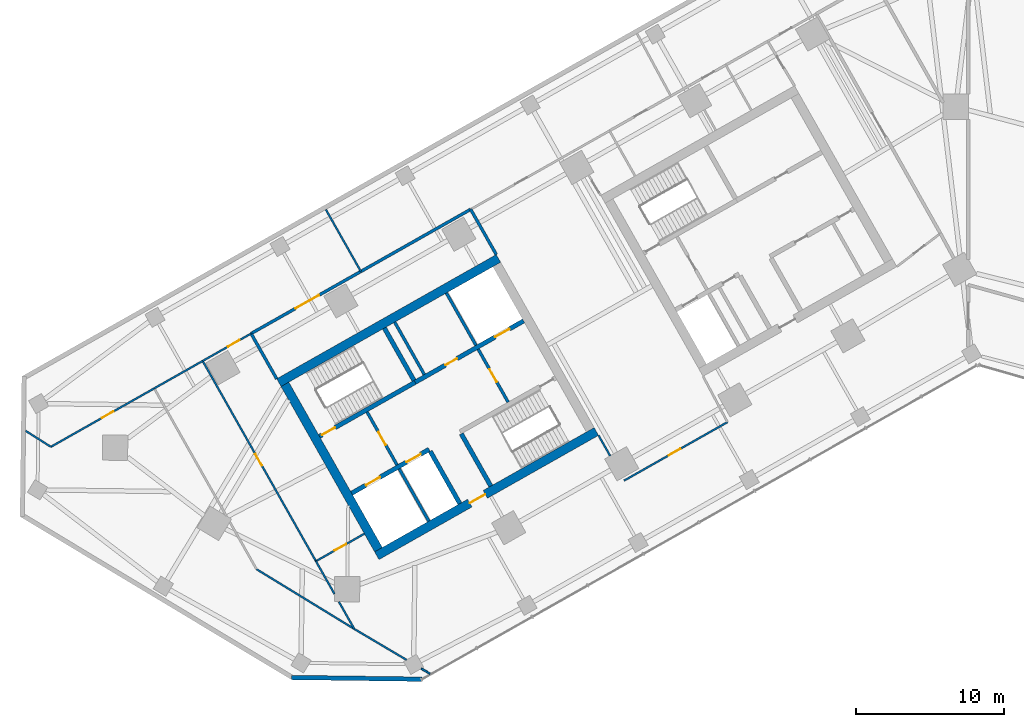
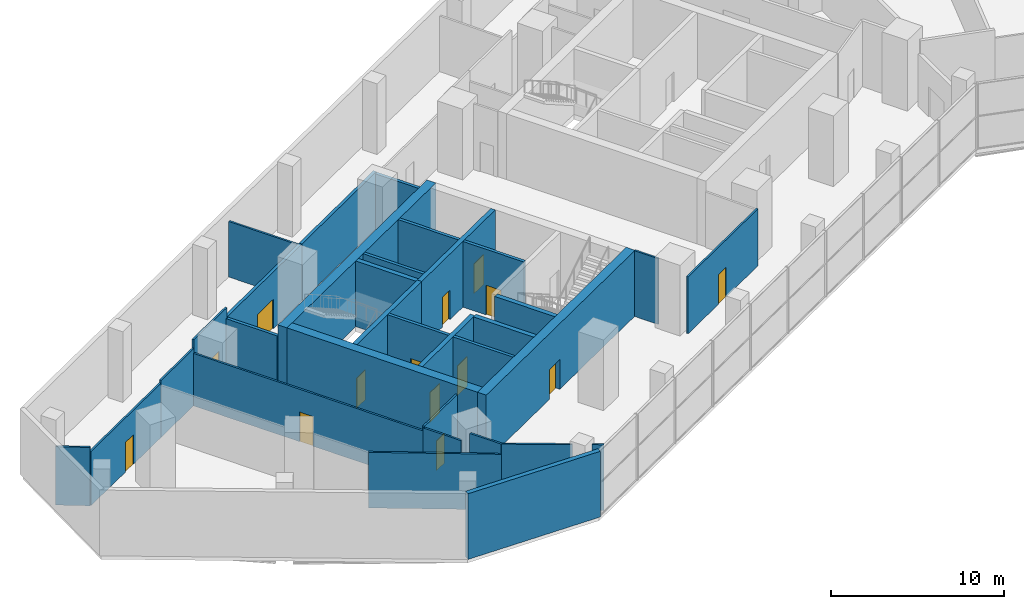
# One storey, part 8 of 15: 33 walls, 14 doors, 14 openings.
"""IFC4 building model written with IfcOpenShell, lengths in metres."""

from ifc_helpers import new_model, si_unit, direction, frame, frame_2d, origin, place, context, subcontext, project, spatial, rectangle, extrude, material, layer, layer_set, type_object, element, fill, save


model = new_model("IFC4")

# Units and contexts
model_context = context("Model", 3, precision=1e-05, world=origin(), true_north=direction((0.0, 1.0)))
body_context = subcontext(model_context, "Body", "Model", "MODEL_VIEW")
ifc_project = project(units=[si_unit("LENGTHUNIT", "METRE"), si_unit("AREAUNIT", "SQUARE_METRE"), si_unit("VOLUMEUNIT", "CUBIC_METRE"), si_unit("PLANEANGLEUNIT", "RADIAN"), si_unit("MASSUNIT", "GRAM", prefix="KILO")], contexts=[model_context])

# Site, building, storey
site_placement = place(None, origin())
site = spatial("IfcSite", under=ifc_project, at=site_placement, CompositionType="ELEMENT")
building_placement = place(site_placement, origin())
building = spatial("IfcBuilding", under=site, at=building_placement, Name="Binnacle Exchange Tower", CompositionType="ELEMENT")
storey_placement = place(building_placement, frame((0.0, 0.0, 16.5)))
storey = spatial("IfcBuildingStorey", under=building, at=storey_placement, Name="L03", CompositionType="ELEMENT", Elevation=16.5)

# Wall, openings, doors
ifc_material_1 = material(Name="Concrete C70/85", Category="concrete")
ifc_layer_1 = layer(ifc_material_1, 0.300048828125)
ifc_layer_set_1 = layer_set([ifc_layer_1], Name="Core wall - front 300")
wall_type_1 = type_object("IfcWallType", Name="Core wall - front 300", PredefinedType="SOLIDWALL", material=ifc_layer_set_1)
wall_1_placement = place(storey_placement, frame((-41.555908203125, 33.9609375, 0.0), z_axis=(0.0, 0.0, 1.0), x_axis=(0.870343731308, 0.492444706919, 0.0)))
wall_1 = element("IfcWall", 1, at=wall_1_placement, inside=storey, type_object=wall_type_1, Name="Core wall CRWA2", PredefinedType="SOLIDWALL", context=body_context, shape_type="SweptSolid", body=[
    extrude(rectangle(XDim=5.999755859375, YDim=0.300048828125, at=frame_2d((3.0, 0.0))), origin(), (0.0, 0.0, 1.0), 4.64990234375),
])
opening_1_placement = place(wall_1_placement, frame((1.099853515625, 0.0, 0.0)))
opening_1 = element("IfcOpeningElement", 2, at=opening_1_placement, cuts=wall_1, Name="Opening LD12", PredefinedType="OPENING", context=body_context, shape_type="SweptSolid", body=[
    extrude(rectangle(XDim=1.10009765625, YDim=2.10009765625, at=frame_2d((0.550048828125, 1.050048828125))), frame((0.0, 0.159912109375, 0.0), z_axis=(0.0, -1.0, 0.0), x_axis=(1.0, 0.0, 0.0)), (0.0, 0.0, 1.0), 0.320068359375),
])
opening_2_placement = place(wall_1_placement, frame((4.25, 0.0, 0.0)))
opening_2 = element("IfcOpeningElement", 3, at=opening_2_placement, cuts=wall_1, Name="Opening LD8", PredefinedType="OPENING", context=body_context, shape_type="SweptSolid", body=[
    extrude(rectangle(XDim=1.10009765625, YDim=2.10009765625, at=frame_2d((0.550048828125, 1.050048828125))), frame((0.0, 0.159912109375, 0.0), z_axis=(0.0, -1.0, 0.0), x_axis=(1.0, 0.0, 0.0)), (0.0, 0.0, 1.0), 0.320068359375),
])
ifc_material_2 = material(Name="Steel door leaf", Category="steel")
door_type_1 = type_object("IfcDoorType", Name="Fire door - lift landing 1100", OperationType="NOTDEFINED", PredefinedType="DOOR", material=ifc_material_2)
door_1_placement = place(opening_1_placement, origin())
door_1 = element("IfcDoor", 4, at=door_1_placement, inside=storey, type_object=door_type_1, Name="Landing door LD12 L03", OperationType="DOUBLE_DOOR_SLIDING", OverallHeight=2.10009765625, OverallWidth=1.10009765625, PredefinedType="DOOR", context=body_context, shape_type="SweptSolid", body=[
    extrude(rectangle(XDim=1.10009765625, YDim=2.10009765625, at=frame_2d((0.550048828125, 1.050048828125))), frame((0.0, 0.02490234375, 0.0), z_axis=(0.0, -1.0, 0.0), x_axis=(1.0, 0.0, 0.0)), (0.0, 0.0, 1.0), 0.050048828125),
])
fill(opening_1, door_1)
door_2_placement = place(opening_2_placement, origin())
door_2 = element("IfcDoor", 5, at=door_2_placement, inside=storey, type_object=door_type_1, Name="Landing door LD8 L03", OperationType="DOUBLE_DOOR_SLIDING", OverallHeight=2.10009765625, OverallWidth=1.10009765625, PredefinedType="DOOR", context=body_context, shape_type="SweptSolid", body=[
    extrude(rectangle(XDim=1.10009765625, YDim=2.10009765625, at=frame_2d((0.550048828125, 1.050048828125))), frame((0.0, 0.02490234375, 0.0), z_axis=(0.0, -1.0, 0.0), x_axis=(1.0, 0.0, 0.0)), (0.0, 0.0, 1.0), 0.050048828125),
])
fill(opening_2, door_2)

wall_2_placement = place(storey_placement, frame((-37.281982421875, 41.4345703125, 0.0), z_axis=(0.0, 0.0, 1.0), x_axis=(0.870356516133, 0.492422110414, 0.0)))
wall_2 = element("IfcWall", 6, at=wall_2_placement, inside=storey, type_object=wall_type_1, Name="Core wall CRWA5", PredefinedType="SOLIDWALL", context=body_context, shape_type="SweptSolid", body=[
    extrude(rectangle(XDim=8.399658203125, YDim=0.300048828125, at=frame_2d((4.19970703125, 0.0))), origin(), (0.0, 0.0, 1.0), 4.64990234375),
])
opening_3_placement = place(wall_2_placement, frame((6.199951171875, 0.0, 0.0)))
opening_3 = element("IfcOpeningElement", 7, at=opening_3_placement, cuts=wall_2, Name="Opening LD13", PredefinedType="OPENING", context=body_context, shape_type="SweptSolid", body=[
    extrude(rectangle(XDim=1.10009765625, YDim=2.10009765625, at=frame_2d((0.550048828125, 1.050048828125))), frame((0.0, 0.159912109375, 0.0), z_axis=(0.0, -1.0, 0.0), x_axis=(1.0, 0.0, 0.0)), (0.0, 0.0, 1.0), 0.320068359375),
])
opening_4_placement = place(wall_2_placement, frame((2.35009765625, 0.0, 0.0)))
opening_4 = element("IfcOpeningElement", 8, at=opening_4_placement, cuts=wall_2, Name="Opening DA10", PredefinedType="OPENING", context=body_context, shape_type="SweptSolid", body=[
    extrude(rectangle(XDim=0.89990234375, YDim=2.10009765625, at=frame_2d((0.449951171875, 1.050048828125))), frame((0.0, 0.159912109375, 0.0), z_axis=(0.0, -1.0, 0.0), x_axis=(1.0, 0.0, 0.0)), (0.0, 0.0, 1.0), 0.320068359375),
])
door_3_placement = place(opening_3_placement, origin())
door_3 = element("IfcDoor", 9, at=door_3_placement, inside=storey, type_object=door_type_1, Name="Landing door LD13 L03", OperationType="DOUBLE_DOOR_SLIDING", OverallHeight=2.10009765625, OverallWidth=1.10009765625, PredefinedType="DOOR", context=body_context, shape_type="SweptSolid", body=[
    extrude(rectangle(XDim=1.10009765625, YDim=2.10009765625, at=frame_2d((0.550048828125, 1.050048828125))), frame((0.0, 0.02490234375, 0.0), z_axis=(0.0, -1.0, 0.0), x_axis=(1.0, 0.0, 0.0)), (0.0, 0.0, 1.0), 0.050048828125),
])
fill(opening_3, door_3)
door_type_2 = type_object("IfcDoorType", Name="Fire door 900", OperationType="NOTDEFINED", PredefinedType="DOOR", material=ifc_material_2)
door_4_placement = place(opening_4_placement, origin())
door_4 = element("IfcDoor", 10, at=door_4_placement, inside=storey, type_object=door_type_2, Name="Core room door TELECOM RISER ROOM", OperationType="SINGLE_SWING_LEFT", OverallHeight=2.10009765625, OverallWidth=0.89990234375, PredefinedType="DOOR", context=body_context, shape_type="SweptSolid", body=[
    extrude(rectangle(XDim=0.89990234375, YDim=2.10009765625, at=frame_2d((0.449951171875, 1.050048828125))), frame((0.0, 0.02490234375, 0.0), z_axis=(0.0, -1.0, 0.0), x_axis=(1.0, 0.0, 0.0)), (0.0, 0.0, 1.0), 0.050048828125),
])
fill(opening_4, door_4)

# Wall
wall_3_placement = place(storey_placement, frame((-36.260009765625, 36.784912109375, 0.0), z_axis=(0.0, 0.0, 1.0), x_axis=(0.492440575896, -0.870346068648, 0.0)))
element("IfcWall", 11, at=wall_3_placement, inside=storey, type_object=wall_type_1, Name="Core wall CRWA13", PredefinedType="SOLIDWALL", context=body_context, shape_type="SweptSolid", body=[
    extrude(rectangle(XDim=4.050048828125, YDim=0.300048828125, at=frame_2d((2.02490234375, 0.0))), origin(), (0.0, 0.0, 1.0), 4.64990234375),
])

# Wall, opening, door
ifc_layer_2 = layer(ifc_material_1, 0.60009765625)
ifc_layer_set_2 = layer_set([ifc_layer_2], Name="Core wall - outer 600")
wall_type_2 = type_object("IfcWallType", Name="Core wall - outer 600", PredefinedType="SOLIDWALL", material=ifc_layer_set_2)
wall_4_placement = place(storey_placement, frame((-39.8623046875, 29.748779296875, 0.0), z_axis=(0.0, 0.0, 1.0), x_axis=(0.870350116061, 0.492433422375, 0.0)))
wall_4 = element("IfcWall", 12, at=wall_4_placement, inside=storey, type_object=wall_type_2, Name="Core wall CRWA1", PredefinedType="SOLIDWALL", context=body_context, shape_type="SweptSolid", body=[
    extrude(rectangle(XDim=17.0, YDim=0.60009765625, at=frame_2d((8.5, 0.0))), origin(), (0.0, 0.0, 1.0), 4.64990234375),
])
opening_5_placement = place(wall_4_placement, frame((7.199951171875, 0.0, 0.0)))
opening_5 = element("IfcOpeningElement", 13, at=opening_5_placement, cuts=wall_4, Name="Opening DA7", PredefinedType="OPENING", context=body_context, shape_type="SweptSolid", body=[
    extrude(rectangle(XDim=1.199951171875, YDim=2.10009765625, at=frame_2d((0.60009765625, 1.050048828125))), frame((0.0, 0.31005859375, 0.0), z_axis=(0.0, -1.0, 0.0), x_axis=(1.0, 0.0, 0.0)), (0.0, 0.0, 1.0), 0.6201171875),
])
door_type_3 = type_object("IfcDoorType", Name="Fire door 1200", OperationType="NOTDEFINED", PredefinedType="DOOR", material=ifc_material_2)
door_5_placement = place(opening_5_placement, frame((1.199951171875, 0.0, 0.0), z_axis=(0.0, 0.0, 1.0), x_axis=(-1.0, 0.0, 0.0)))
door_5 = element("IfcDoor", 14, at=door_5_placement, inside=storey, type_object=door_type_3, Name="Lift lobby entrance door core A", OperationType="SINGLE_SWING_RIGHT", OverallHeight=2.10009765625, OverallWidth=1.199951171875, PredefinedType="DOOR", context=body_context, shape_type="SweptSolid", body=[
    extrude(rectangle(XDim=1.199951171875, YDim=2.10009765625, at=frame_2d((0.60009765625, 1.050048828125))), frame((0.0, 0.02490234375, 0.0), z_axis=(0.0, -1.0, 0.0), x_axis=(1.0, 0.0, 0.0)), (0.0, 0.0, 1.0), 0.050048828125),
])
fill(opening_5, door_5)

# Walls
wall_5_placement = place(storey_placement, frame((-46.460693359375, 41.41162109375, 0.0), z_axis=(0.0, 0.0, 1.0), x_axis=(0.870350116061, 0.492433422375, 0.0)))
element("IfcWall", 15, at=wall_5_placement, inside=storey, type_object=wall_type_2, Name="Core wall CRWA6", PredefinedType="SOLIDWALL", context=body_context, shape_type="SweptSolid", body=[
    extrude(rectangle(XDim=17.0, YDim=0.60009765625, at=frame_2d((8.5, 0.0))), origin(), (0.0, 0.0, 1.0), 4.64990234375),
])
wall_6_placement = place(storey_placement, frame((-46.052001953125, 41.29833984375, 0.0), z_axis=(0.0, 0.0, 1.0), x_axis=(0.492418598281, -0.870358503186, 0.0)))
element("IfcWall", 16, at=wall_6_placement, inside=storey, type_object=wall_type_2, Name="Core wall CRWA7", PredefinedType="SOLIDWALL", context=body_context, shape_type="SweptSolid", body=[
    extrude(rectangle(XDim=12.800048828125, YDim=0.60009765625, at=frame_2d((6.39990234375, 0.0))), origin(), (0.0, 0.0, 1.0), 4.64990234375),
])

# Wall, opening, door
ifc_layer_3 = layer(ifc_material_1, 0.300048828125)
ifc_layer_set_3 = layer_set([ifc_layer_3], Name="Core wall - stair 300")
wall_type_3 = type_object("IfcWallType", Name="Core wall - stair 300", PredefinedType="SOLIDWALL", material=ifc_layer_set_3)
wall_7_placement = place(storey_placement, frame((-43.72265625, 37.79052734375, 0.0), z_axis=(0.0, 0.0, 1.0), x_axis=(0.87035077051, 0.49243226567, 0.0)))
wall_7 = element("IfcWall", 17, at=wall_7_placement, inside=storey, type_object=wall_type_3, Name="Core wall CRWA4", PredefinedType="SOLIDWALL", context=body_context, shape_type="SweptSolid", body=[
    extrude(rectangle(XDim=7.400146484375, YDim=0.300048828125, at=frame_2d((3.7001953125, 0.0))), origin(), (0.0, 0.0, 1.0), 4.64990234375),
])
opening_6_placement = place(wall_7_placement, frame((0.199951171875, 0.0, 0.0)))
opening_6 = element("IfcOpeningElement", 18, at=opening_6_placement, cuts=wall_7, Name="Opening DA1", PredefinedType="OPENING", context=body_context, shape_type="SweptSolid", body=[
    extrude(rectangle(XDim=1.0, YDim=2.10009765625, at=frame_2d((0.5, 1.050048828125))), frame((0.0, 0.159912109375, 0.0), z_axis=(0.0, -1.0, 0.0), x_axis=(1.0, 0.0, 0.0)), (0.0, 0.0, 1.0), 0.320068359375),
])
door_type_4 = type_object("IfcDoorType", Name="Fire door 1000", OperationType="NOTDEFINED", PredefinedType="DOOR", material=ifc_material_2)
door_6_placement = place(opening_6_placement, origin())
door_6 = element("IfcDoor", 19, at=door_6_placement, inside=storey, type_object=door_type_4, Name="Stair door ST-A1", OperationType="SINGLE_SWING_LEFT", OverallHeight=2.10009765625, OverallWidth=1.0, PredefinedType="DOOR", context=body_context, shape_type="SweptSolid", body=[
    extrude(rectangle(XDim=1.0, YDim=2.10009765625, at=frame_2d((0.5, 1.050048828125))), frame((0.0, 0.02490234375, 0.0), z_axis=(0.0, -1.0, 0.0), x_axis=(1.0, 0.0, 0.0)), (0.0, 0.0, 1.0), 0.050048828125),
])
fill(opening_6, door_6)

# Walls
wall_8_placement = place(storey_placement, frame((-39.350341796875, 45.090087890625, 0.0), z_axis=(0.0, 0.0, 1.0), x_axis=(0.49241474071, -0.870360685654, 0.0)))
element("IfcWall", 20, at=wall_8_placement, inside=storey, type_object=wall_type_3, Name="Core wall CRWA14", PredefinedType="SOLIDWALL", context=body_context, shape_type="SweptSolid", body=[
    extrude(rectangle(XDim=4.05029296875, YDim=0.300048828125, at=frame_2d((2.025146484375, 0.0))), origin(), (0.0, 0.0, 1.0), 4.64990234375),
])
wall_9_placement = place(storey_placement, frame((-34.171142578125, 37.966796875, 0.0), z_axis=(0.0, 0.0, 1.0), x_axis=(0.492394910396, -0.870371904542, 0.0)))
element("IfcWall", 21, at=wall_9_placement, inside=storey, type_object=wall_type_3, Name="Core wall CRWA16", PredefinedType="SOLIDWALL", context=body_context, shape_type="SweptSolid", body=[
    extrude(rectangle(XDim=4.0498046875, YDim=0.300048828125, at=frame_2d((2.02490234375, 0.0))), origin(), (0.0, 0.0, 1.0), 4.64990234375),
])
ifc_material_3 = material(Name="Bronze aluminium louvre", Category="aluminium")
ifc_layer_4 = layer(ifc_material_3, 0.300048828125)
ifc_layer_set_4 = layer_set([ifc_layer_4], Name="External wall - podium louvre 300")
wall_type_4 = type_object("IfcWallType", Name="External wall - podium louvre 300", PredefinedType="STANDARD", material=ifc_layer_set_4)
wall_10_placement = place(storey_placement, frame((-36.821044921875, 21.42822265625, 0.0), z_axis=(0.0, 0.0, 1.0), x_axis=(-0.999914252794, 0.013095306781, 0.0)))
element("IfcWall", 22, at=wall_10_placement, inside=storey, type_object=wall_type_4, Name="External wall EW-P05 L03", PredefinedType="STANDARD", context=body_context, shape_type="SweptSolid", body=[
    extrude(rectangle(XDim=8.781005859375, YDim=0.300048828125, at=frame_2d((4.390625, 0.0))), origin(), (0.0, 0.0, 1.0), 4.64990234375),
])
ifc_material_4 = material(Name="Masonry block wall", Category="masonry")
ifc_layer_5 = layer(ifc_material_4, 0.199951171875)
ifc_layer_set_5 = layer_set([ifc_layer_5], Name="Fire wall - block 200")
wall_type_5 = type_object("IfcWallType", Name="Fire wall - block 200", PredefinedType="PARTITIONING", material=ifc_layer_set_5)
wall_11_placement = place(storey_placement, frame((-48.33203125, 44.718994140625, 0.0), z_axis=(0.0, 0.0, 1.0), x_axis=(0.492392845909, -0.87037307248, 0.0)))
element("IfcWall", 23, at=wall_11_placement, inside=storey, type_object=wall_type_5, Name="Partition W08", PredefinedType="PARTITIONING", context=body_context, shape_type="SweptSolid", body=[
    extrude(rectangle(XDim=3.49951171875, YDim=0.199951171875, at=frame_2d((1.749755859375, 0.0))), origin(), (0.0, 0.0, 1.0), 3.929931640625),
])

# Wall, opening, door
wall_12_placement = place(storey_placement, frame((-48.33203125, 44.718994140625, 0.0), z_axis=(0.0, 0.0, 1.0), x_axis=(0.870331650579, 0.492466057713, 0.0)))
wall_12 = element("IfcWall", 24, at=wall_12_placement, inside=storey, type_object=wall_type_5, Name="Partition W09", PredefinedType="PARTITIONING", context=body_context, shape_type="SweptSolid", body=[
    extrude(rectangle(XDim=8.500244140625, YDim=0.199951171875, at=frame_2d((4.25, 0.0))), origin(), (0.0, 0.0, 1.0), 4.030029296875),
])
opening_7_placement = place(wall_12_placement, frame((3.449951171875, 0.0, 0.0)))
opening_7 = element("IfcOpeningElement", 25, at=opening_7_placement, cuts=wall_12, Name="Opening DL03-11", PredefinedType="OPENING", context=body_context, shape_type="SweptSolid", body=[
    extrude(rectangle(XDim=1.800048828125, YDim=2.10009765625, at=frame_2d((0.89990234375, 1.050048828125))), frame((0.0, 0.10986328125, 0.0), z_axis=(0.0, -1.0, 0.0), x_axis=(1.0, 0.0, 0.0)), (0.0, 0.0, 1.0), 0.219970703125),
])
door_type_5 = type_object("IfcDoorType", Name="Fire door 1800", OperationType="NOTDEFINED", PredefinedType="DOOR", material=ifc_material_2)
door_7_placement = place(opening_7_placement, frame((1.800048828125, 0.0, 0.0), z_axis=(0.0, 0.0, 1.0), x_axis=(-1.0, 0.0, 0.0)))
door_7 = element("IfcDoor", 26, at=door_7_placement, inside=storey, type_object=door_type_5, Name="Door DL03-11", OperationType="DOUBLE_DOOR_SINGLE_SWING", OverallHeight=2.10009765625, OverallWidth=1.800048828125, PredefinedType="DOOR", context=body_context, shape_type="SweptSolid", body=[
    extrude(rectangle(XDim=1.800048828125, YDim=2.10009765625, at=frame_2d((0.89990234375, 1.050048828125))), frame((0.0, 0.02490234375, 0.0), z_axis=(0.0, -1.0, 0.0), x_axis=(1.0, 0.0, 0.0)), (0.0, 0.0, 1.0), 0.050048828125),
])
fill(opening_7, door_7)

# Walls
wall_13_placement = place(storey_placement, frame((-40.93408203125, 48.905029296875, 0.0), z_axis=(0.0, 0.0, 1.0), x_axis=(0.870387854278, 0.492366716102, 0.0)))
element("IfcWall", 27, at=wall_13_placement, inside=storey, type_object=wall_type_5, Name="Partition W16", PredefinedType="PARTITIONING", context=body_context, shape_type="SweptSolid", body=[
    extrude(rectangle(XDim=8.5, YDim=0.199951171875, at=frame_2d((4.25, 0.0))), origin(), (0.0, 0.0, 1.0), 4.030029296875),
])
wall_14_placement = place(storey_placement, frame((-33.535888671875, 53.090087890625, 0.0), z_axis=(0.0, 0.0, 1.0), x_axis=(0.492521469645, -0.870300294116, 0.0)))
element("IfcWall", 28, at=wall_14_placement, inside=storey, type_object=wall_type_5, Name="Partition W18", PredefinedType="PARTITIONING", context=body_context, shape_type="SweptSolid", body=[
    extrude(rectangle(XDim=3.5, YDim=0.199951171875, at=frame_2d((1.75, 0.0))), origin(), (0.0, 0.0, 1.0), 3.929931640625),
])

# Wall, opening, door
ifc_layer_6 = layer(ifc_material_4, 0.199951171875)
ifc_layer_set_6 = layer_set([ifc_layer_6], Name="Fire wall - vestibule 200")
wall_type_6 = type_object("IfcWallType", Name="Fire wall - vestibule 200", PredefinedType="PARTITIONING", material=ifc_layer_set_6)
wall_15_placement = place(storey_placement, frame((-40.515625, 39.4326171875, 0.0), z_axis=(0.0, 0.0, 1.0), x_axis=(0.492453559952, -0.87033872216, 0.0)))
wall_15 = element("IfcWall", 29, at=wall_15_placement, inside=storey, type_object=wall_type_6, Name="Core wall CRWA10", PredefinedType="PARTITIONING", context=body_context, shape_type="SweptSolid", body=[
    extrude(rectangle(XDim=4.099853515625, YDim=0.199951171875, at=frame_2d((2.0498046875, 0.0))), origin(), (0.0, 0.0, 1.0), 4.64990234375),
])
opening_8_placement = place(wall_15_placement, frame((1.550048828125, 0.0, 0.0)))
opening_8 = element("IfcOpeningElement", 30, at=opening_8_placement, cuts=wall_15, Name="Opening DA3", PredefinedType="OPENING", context=body_context, shape_type="SweptSolid", body=[
    extrude(rectangle(XDim=1.0, YDim=2.10009765625, at=frame_2d((0.5, 1.050048828125))), frame((0.0, 0.10986328125, 0.0), z_axis=(0.0, -1.0, 0.0), x_axis=(1.0, 0.0, 0.0)), (0.0, 0.0, 1.0), 0.219970703125),
])
door_8_placement = place(opening_8_placement, frame((1.0, 0.0, 0.0), z_axis=(0.0, 0.0, 1.0), x_axis=(-1.0, 0.0, 0.0)))
door_8 = element("IfcDoor", 31, at=door_8_placement, inside=storey, type_object=door_type_4, Name="Vestibule door VEST-W", OperationType="SINGLE_SWING_LEFT", OverallHeight=2.10009765625, OverallWidth=1.0, PredefinedType="DOOR", context=body_context, shape_type="SweptSolid", body=[
    extrude(rectangle(XDim=1.0, YDim=2.10009765625, at=frame_2d((0.5, 1.050048828125))), frame((0.0, 0.02490234375, 0.0), z_axis=(0.0, -1.0, 0.0), x_axis=(1.0, 0.0, 0.0)), (0.0, 0.0, 1.0), 0.050048828125),
])
fill(opening_8, door_8)

wall_16_placement = place(storey_placement, frame((-33.030517578125, 43.66748046875, 0.0), z_axis=(0.0, 0.0, 1.0), x_axis=(0.492408451753, -0.87036424366, 0.0)))
wall_16 = element("IfcWall", 32, at=wall_16_placement, inside=storey, type_object=wall_type_6, Name="Core wall CRWA19", PredefinedType="PARTITIONING", context=body_context, shape_type="SweptSolid", body=[
    extrude(rectangle(XDim=4.099853515625, YDim=0.199951171875, at=frame_2d((2.0498046875, 0.0))), origin(), (0.0, 0.0, 1.0), 4.64990234375),
])
opening_9_placement = place(wall_16_placement, frame((1.550048828125, 0.0, 0.0)))
opening_9 = element("IfcOpeningElement", 33, at=opening_9_placement, cuts=wall_16, Name="Opening DA4", PredefinedType="OPENING", context=body_context, shape_type="SweptSolid", body=[
    extrude(rectangle(XDim=1.0, YDim=2.10009765625, at=frame_2d((0.5, 1.050048828125))), frame((0.0, 0.10986328125, 0.0), z_axis=(0.0, -1.0, 0.0), x_axis=(1.0, 0.0, 0.0)), (0.0, 0.0, 1.0), 0.219970703125),
])
door_9_placement = place(opening_9_placement, origin())
door_9 = element("IfcDoor", 34, at=door_9_placement, inside=storey, type_object=door_type_4, Name="Vestibule door VEST-E", OperationType="SINGLE_SWING_RIGHT", OverallHeight=2.10009765625, OverallWidth=1.0, PredefinedType="DOOR", context=body_context, shape_type="SweptSolid", body=[
    extrude(rectangle(XDim=1.0, YDim=2.10009765625, at=frame_2d((0.5, 1.050048828125))), frame((0.0, 0.02490234375, 0.0), z_axis=(0.0, -1.0, 0.0), x_axis=(1.0, 0.0, 0.0)), (0.0, 0.0, 1.0), 0.050048828125),
])
fill(opening_9, door_9)

# Wall
ifc_material_5 = material(Name="Gypsum partition")
ifc_layer_7 = layer(ifc_material_5, 0.125)
ifc_layer_set_7 = layer_set([ifc_layer_7], Name="Partition 125")
wall_type_7 = type_object("IfcWallType", Name="Partition 125", PredefinedType="PARTITIONING", material=ifc_layer_set_7)
wall_17_placement = place(storey_placement, frame((-63.529052734375, 38.1669921875, 0.0), z_axis=(0.0, 0.0, 1.0), x_axis=(0.844913795328, -0.534902494352, 0.0)))
element("IfcWall", 35, at=wall_17_placement, inside=storey, type_object=wall_type_7, Name="Partition W01", PredefinedType="PARTITIONING", context=body_context, shape_type="SweptSolid", body=[
    extrude(rectangle(XDim=2.019287109375, YDim=0.125, at=frame_2d((1.009765625, 0.0))), origin(), (0.0, 0.0, 1.0), 4.1298828125),
])

# Wall, opening, door
wall_18_placement = place(storey_placement, frame((-61.822998046875, 37.0869140625, 0.0), z_axis=(0.0, 0.0, 1.0), x_axis=(0.870379756599, 0.492381030609, 0.0)))
wall_18 = element("IfcWall", 36, at=wall_18_placement, inside=storey, type_object=wall_type_7, Name="Partition W02", PredefinedType="PARTITIONING", context=body_context, shape_type="SweptSolid", body=[
    extrude(rectangle(XDim=7.999755859375, YDim=0.125, at=frame_2d((4.0, 0.0))), origin(), (0.0, 0.0, 1.0), 3.830078125),
])
opening_10_placement = place(wall_18_placement, frame((3.949951171875, 0.0, 0.0)))
opening_10 = element("IfcOpeningElement", 37, at=opening_10_placement, cuts=wall_18, Name="Opening DL03-07", PredefinedType="OPENING", context=body_context, shape_type="SweptSolid", body=[
    extrude(rectangle(XDim=0.89990234375, YDim=2.10009765625, at=frame_2d((0.449951171875, 1.050048828125))), frame((0.0, 0.072509765625, 0.0), z_axis=(0.0, -1.0, 0.0), x_axis=(1.0, 0.0, 0.0)), (0.0, 0.0, 1.0), 0.14501953125),
])
ifc_material_6 = material(Name="Timber door leaf", Category="wood")
door_type_6 = type_object("IfcDoorType", Name="Door 900", OperationType="NOTDEFINED", PredefinedType="DOOR", material=ifc_material_6)
door_10_placement = place(opening_10_placement, frame((0.89990234375, 0.0, 0.0), z_axis=(0.0, 0.0, 1.0), x_axis=(-1.0, 0.0, 0.0)))
door_10 = element("IfcDoor", 38, at=door_10_placement, inside=storey, type_object=door_type_6, Name="Door DL03-07", OperationType="SINGLE_SWING_LEFT", OverallHeight=2.10009765625, OverallWidth=0.89990234375, PredefinedType="DOOR", context=body_context, shape_type="SweptSolid", body=[
    extrude(rectangle(XDim=0.89990234375, YDim=2.10009765625, at=frame_2d((0.449951171875, 1.050048828125))), frame((0.0, 0.02490234375, 0.0), z_axis=(0.0, -1.0, 0.0), x_axis=(1.0, 0.0, 0.0)), (0.0, 0.0, 1.0), 0.050048828125),
])
fill(opening_10, door_10)

# Wall
wall_19_placement = place(storey_placement, frame((-54.860107421875, 41.02587890625, 0.0), z_axis=(0.0, 0.0, 1.0), x_axis=(0.870310553999, 0.492503339682, 0.0)))
element("IfcWall", 39, at=wall_19_placement, inside=storey, type_object=wall_type_7, Name="Partition W03", PredefinedType="PARTITIONING", context=body_context, shape_type="SweptSolid", body=[
    extrude(rectangle(XDim=3.75048828125, YDim=0.125, at=frame_2d((1.875244140625, 0.0))), origin(), (0.0, 0.0, 1.0), 4.02392578125),
])

# Wall, opening, door
wall_20_placement = place(storey_placement, frame((-51.595947265625, 42.873046875, 0.0), z_axis=(0.0, 0.0, 1.0), x_axis=(0.87043427122, 0.492284652905, 0.0)))
wall_20 = element("IfcWall", 40, at=wall_20_placement, inside=storey, type_object=wall_type_7, Name="Partition W05", PredefinedType="PARTITIONING", context=body_context, shape_type="SweptSolid", body=[
    extrude(rectangle(XDim=3.749755859375, YDim=0.125, at=frame_2d((1.875, 0.0))), origin(), (0.0, 0.0, 1.0), 4.64990234375),
])
opening_11_placement = place(wall_20_placement, frame((1.949951171875, 0.0, 0.0)))
opening_11 = element("IfcOpeningElement", 41, at=opening_11_placement, cuts=wall_20, Name="Opening DL03-04", PredefinedType="OPENING", context=body_context, shape_type="SweptSolid", body=[
    extrude(rectangle(XDim=0.89990234375, YDim=2.10009765625, at=frame_2d((0.449951171875, 1.050048828125))), frame((0.0, 0.072509765625, 0.0), z_axis=(0.0, -1.0, 0.0), x_axis=(1.0, 0.0, 0.0)), (0.0, 0.0, 1.0), 0.14501953125),
])
door_11_placement = place(opening_11_placement, origin())
door_11 = element("IfcDoor", 42, at=door_11_placement, inside=storey, type_object=door_type_6, Name="Door DL03-04", OperationType="SINGLE_SWING_RIGHT", OverallHeight=2.10009765625, OverallWidth=0.89990234375, PredefinedType="DOOR", context=body_context, shape_type="SweptSolid", body=[
    extrude(rectangle(XDim=0.89990234375, YDim=2.10009765625, at=frame_2d((0.449951171875, 1.050048828125))), frame((0.0, 0.02490234375, 0.0), z_axis=(0.0, -1.0, 0.0), x_axis=(1.0, 0.0, 0.0)), (0.0, 0.0, 1.0), 0.050048828125),
])
fill(opening_11, door_11)

wall_21_placement = place(storey_placement, frame((-51.595947265625, 42.873046875, 0.0), z_axis=(0.0, 0.0, 1.0), x_axis=(0.492435038471, -0.870349201692, 0.0)))
wall_21 = element("IfcWall", 43, at=wall_21_placement, inside=storey, type_object=wall_type_7, Name="Partition W06", PredefinedType="PARTITIONING", context=body_context, shape_type="SweptSolid", body=[
    extrude(rectangle(XDim=15.500732421875, YDim=0.125, at=frame_2d((7.75048828125, 0.0))), origin(), (0.0, 0.0, 1.0), 3.7119140625),
])
opening_12_placement = place(wall_21_placement, frame((7.199951171875, 0.0, 0.0)))
opening_12 = element("IfcOpeningElement", 44, at=opening_12_placement, cuts=wall_21, Name="Opening DL03-08", PredefinedType="OPENING", context=body_context, shape_type="SweptSolid", body=[
    extrude(rectangle(XDim=0.89990234375, YDim=2.10009765625, at=frame_2d((0.449951171875, 1.050048828125))), frame((0.0, 0.072509765625, 0.0), z_axis=(0.0, -1.0, 0.0), x_axis=(1.0, 0.0, 0.0)), (0.0, 0.0, 1.0), 0.14501953125),
])
door_12_placement = place(opening_12_placement, frame((0.89990234375, 0.0, 0.0), z_axis=(0.0, 0.0, 1.0), x_axis=(-1.0, 0.0, 0.0)))
door_12 = element("IfcDoor", 45, at=door_12_placement, inside=storey, type_object=door_type_6, Name="Door DL03-08", OperationType="SINGLE_SWING_RIGHT", OverallHeight=2.10009765625, OverallWidth=0.89990234375, PredefinedType="DOOR", context=body_context, shape_type="SweptSolid", body=[
    extrude(rectangle(XDim=0.89990234375, YDim=2.10009765625, at=frame_2d((0.449951171875, 1.050048828125))), frame((0.0, 0.02490234375, 0.0), z_axis=(0.0, -1.0, 0.0), x_axis=(1.0, 0.0, 0.0)), (0.0, 0.0, 1.0), 0.050048828125),
])
fill(opening_12, door_12)

# Walls
wall_22_placement = place(storey_placement, frame((-47.966064453125, 28.841064453125, 0.0), z_axis=(0.0, 0.0, 1.0), x_axis=(0.8531669284, -0.521637989686, 0.0)))
element("IfcWall", 46, at=wall_22_placement, inside=storey, type_object=wall_type_7, Name="Partition W10", PredefinedType="PARTITIONING", context=body_context, shape_type="SweptSolid", body=[
    extrude(rectangle(XDim=7.721923828125, YDim=0.125, at=frame_2d((3.86083984375, 0.0))), origin(), (0.0, 0.0, 1.0), 3.929931640625),
])
wall_23_placement = place(storey_placement, frame((-43.962890625, 29.382080078125, 0.0), z_axis=(0.0, 0.0, 1.0), x_axis=(0.492408705769, -0.870364099951, 0.0)))
element("IfcWall", 47, at=wall_23_placement, inside=storey, type_object=wall_type_7, Name="Partition W11", PredefinedType="PARTITIONING", context=body_context, shape_type="SweptSolid", body=[
    extrude(rectangle(XDim=2.54052734375, YDim=0.125, at=frame_2d((1.270263671875, 0.0))), origin(), (0.0, 0.0, 1.0), 3.929931640625),
])

# Wall, opening, door
wall_24_placement = place(storey_placement, frame((-43.962890625, 29.382080078125, 0.0), z_axis=(0.0, 0.0, 1.0), x_axis=(0.870259488443, 0.492593567533, 0.0)))
wall_24 = element("IfcWall", 48, at=wall_24_placement, inside=storey, type_object=wall_type_7, Name="Partition W12", PredefinedType="PARTITIONING", context=body_context, shape_type="SweptSolid", body=[
    extrude(rectangle(XDim=3.749267578125, YDim=0.125, at=frame_2d((1.87451171875, 0.0))), origin(), (0.0, 0.0, 1.0), 4.02392578125),
])
opening_13_placement = place(wall_24_placement, frame((1.449951171875, 0.0, 0.0)))
opening_13 = element("IfcOpeningElement", 49, at=opening_13_placement, cuts=wall_24, Name="Opening DL03-01", PredefinedType="OPENING", context=body_context, shape_type="SweptSolid", body=[
    extrude(rectangle(XDim=0.89990234375, YDim=2.10009765625, at=frame_2d((0.449951171875, 1.050048828125))), frame((0.0, 0.072509765625, 0.0), z_axis=(0.0, -1.0, 0.0), x_axis=(1.0, 0.0, 0.0)), (0.0, 0.0, 1.0), 0.14501953125),
])
door_13_placement = place(opening_13_placement, origin())
door_13 = element("IfcDoor", 50, at=door_13_placement, inside=storey, type_object=door_type_6, Name="Door DL03-01", OperationType="SINGLE_SWING_RIGHT", OverallHeight=2.10009765625, OverallWidth=0.89990234375, PredefinedType="DOOR", context=body_context, shape_type="SweptSolid", body=[
    extrude(rectangle(XDim=0.89990234375, YDim=2.10009765625, at=frame_2d((0.449951171875, 1.050048828125))), frame((0.0, 0.02490234375, 0.0), z_axis=(0.0, -1.0, 0.0), x_axis=(1.0, 0.0, 0.0)), (0.0, 0.0, 1.0), 0.050048828125),
])
fill(opening_13, door_13)

# Walls
wall_25_placement = place(storey_placement, frame((-43.294921875, 53.076904296875, 0.0), z_axis=(0.0, 0.0, 1.0), x_axis=(0.492503605136, -0.87031040378, 0.0)))
element("IfcWall", 51, at=wall_25_placement, inside=storey, type_object=wall_type_7, Name="Partition W13", PredefinedType="PARTITIONING", context=body_context, shape_type="SweptSolid", body=[
    extrude(rectangle(XDim=4.79345703125, YDim=0.125, at=frame_2d((2.396728515625, 0.0))), origin(), (0.0, 0.0, 1.0), 3.929931640625),
])
wall_26_placement = place(storey_placement, frame((-42.41796875, 26.652099609375, 0.0), z_axis=(0.0, 0.0, 1.0), x_axis=(0.492251431349, -0.870453059237, 0.0)))
element("IfcWall", 52, at=wall_26_placement, inside=storey, type_object=wall_type_7, Name="Partition W14", PredefinedType="PARTITIONING", context=body_context, shape_type="SweptSolid", body=[
    extrude(rectangle(XDim=2.11279296875, YDim=0.125, at=frame_2d((1.056396484375, 0.0))), origin(), (0.0, 0.0, 1.0), 4.64990234375),
])
wall_27_placement = place(storey_placement, frame((-41.3779296875, 24.81298828125, 0.0), z_axis=(0.0, 0.0, 1.0), x_axis=(0.860752907168, -0.509023017948, 0.0)))
element("IfcWall", 53, at=wall_27_placement, inside=storey, type_object=wall_type_7, Name="Partition W15", PredefinedType="PARTITIONING", context=body_context, shape_type="SweptSolid", body=[
    extrude(rectangle(XDim=4.08837890625, YDim=0.125, at=frame_2d((2.044189453125, 0.0))), origin(), (0.0, 0.0, 1.0), 4.64990234375),
])
wall_28_placement = place(storey_placement, frame((-36.865966796875, 22.14404296875, 0.0), z_axis=(0.0, 0.0, 1.0), x_axis=(0.861112187998, -0.508414987664, 0.0)))
element("IfcWall", 54, at=wall_28_placement, inside=storey, type_object=wall_type_7, Name="Partition W17", PredefinedType="PARTITIONING", context=body_context, shape_type="SweptSolid", body=[
    extrude(rectangle(XDim=0.680419921875, YDim=0.125, at=frame_2d((0.34033203125, 0.0))), origin(), (0.0, 0.0, 1.0), 4.64990234375),
])
wall_29_placement = place(storey_placement, frame((-24.9189453125, 37.85888671875, 0.0), z_axis=(0.0, 0.0, 1.0), x_axis=(0.492366981934, -0.870387703901, 0.0)))
element("IfcWall", 55, at=wall_29_placement, inside=storey, type_object=wall_type_7, Name="Partition W22", PredefinedType="PARTITIONING", context=body_context, shape_type="SweptSolid", body=[
    extrude(rectangle(XDim=1.584228515625, YDim=0.125, at=frame_2d((0.7919921875, 0.0))), origin(), (0.0, 0.0, 1.0), 4.64990234375),
])

# Wall, opening, door
wall_30_placement = place(storey_placement, frame((-23.195068359375, 34.81298828125, 0.0), z_axis=(0.0, 0.0, 1.0), x_axis=(0.870387155114, 0.492367952057, 0.0)))
wall_30 = element("IfcWall", 56, at=wall_30_placement, inside=storey, type_object=wall_type_7, Name="Partition W25", PredefinedType="PARTITIONING", context=body_context, shape_type="SweptSolid", body=[
    extrude(rectangle(XDim=8.0, YDim=0.125, at=frame_2d((4.0, 0.0))), origin(), (0.0, 0.0, 1.0), 4.030029296875),
])
opening_14_placement = place(wall_30_placement, frame((3.449951171875, 0.0, 0.0)))
opening_14 = element("IfcOpeningElement", 57, at=opening_14_placement, cuts=wall_30, Name="Opening DL03-02", PredefinedType="OPENING", context=body_context, shape_type="SweptSolid", body=[
    extrude(rectangle(XDim=0.89990234375, YDim=2.10009765625, at=frame_2d((0.449951171875, 1.050048828125))), frame((0.0, 0.072509765625, 0.0), z_axis=(0.0, -1.0, 0.0), x_axis=(1.0, 0.0, 0.0)), (0.0, 0.0, 1.0), 0.14501953125),
])
door_14_placement = place(opening_14_placement, origin())
door_14 = element("IfcDoor", 58, at=door_14_placement, inside=storey, type_object=door_type_6, Name="Door DL03-02", OperationType="SINGLE_SWING_LEFT", OverallHeight=2.10009765625, OverallWidth=0.89990234375, PredefinedType="DOOR", context=body_context, shape_type="SweptSolid", body=[
    extrude(rectangle(XDim=0.89990234375, YDim=2.10009765625, at=frame_2d((0.449951171875, 1.050048828125))), frame((0.0, 0.02490234375, 0.0), z_axis=(0.0, -1.0, 0.0), x_axis=(1.0, 0.0, 0.0)), (0.0, 0.0, 1.0), 0.050048828125),
])
fill(opening_14, door_14)

# Walls
ifc_layer_8 = layer(ifc_material_4, 0.199951171875)
ifc_layer_set_8 = layer_set([ifc_layer_8], Name="Riser wall 200")
wall_type_8 = type_object("IfcWallType", Name="Riser wall 200", PredefinedType="SOLIDWALL", material=ifc_layer_set_8)
wall_31_placement = place(storey_placement, frame((-38.654052734375, 45.48388671875, 0.0), z_axis=(0.0, 0.0, 1.0), x_axis=(0.492440575896, -0.870346068648, 0.0)))
element("IfcWall", 59, at=wall_31_placement, inside=storey, type_object=wall_type_8, Name="Core wall CRWA15", PredefinedType="SOLIDWALL", context=body_context, shape_type="SweptSolid", body=[
    extrude(rectangle(XDim=4.050048828125, YDim=0.199951171875, at=frame_2d((2.02490234375, 0.0))), origin(), (0.0, 0.0, 1.0), 4.64990234375),
])
ifc_layer_9 = layer(ifc_material_4, 0.199951171875)
ifc_layer_set_9 = layer_set([ifc_layer_9], Name="Shaft wall 200")
wall_type_9 = type_object("IfcWallType", Name="Shaft wall 200", PredefinedType="SOLIDWALL", material=ifc_layer_set_9)
wall_32_placement = place(storey_placement, frame((-38.348876953125, 35.603271484375, 0.0), z_axis=(0.0, 0.0, 1.0), x_axis=(0.49241474071, -0.870360685654, 0.0)))
element("IfcWall", 60, at=wall_32_placement, inside=storey, type_object=wall_type_9, Name="Core wall CRWA9", PredefinedType="SOLIDWALL", context=body_context, shape_type="SweptSolid", body=[
    extrude(rectangle(XDim=4.05029296875, YDim=0.199951171875, at=frame_2d((2.025146484375, 0.0))), origin(), (0.0, 0.0, 1.0), 4.64990234375),
])
wall_33_placement = place(storey_placement, frame((-35.172607421875, 47.45361328125, 0.0), z_axis=(0.0, 0.0, 1.0), x_axis=(0.492440575896, -0.870346068648, 0.0)))
element("IfcWall", 61, at=wall_33_placement, inside=storey, type_object=wall_type_9, Name="Core wall CRWA21", PredefinedType="SOLIDWALL", context=body_context, shape_type="SweptSolid", body=[
    extrude(rectangle(XDim=4.050048828125, YDim=0.199951171875, at=frame_2d((2.02490234375, 0.0))), origin(), (0.0, 0.0, 1.0), 4.64990234375),
])

save(model, "model.ifc")
